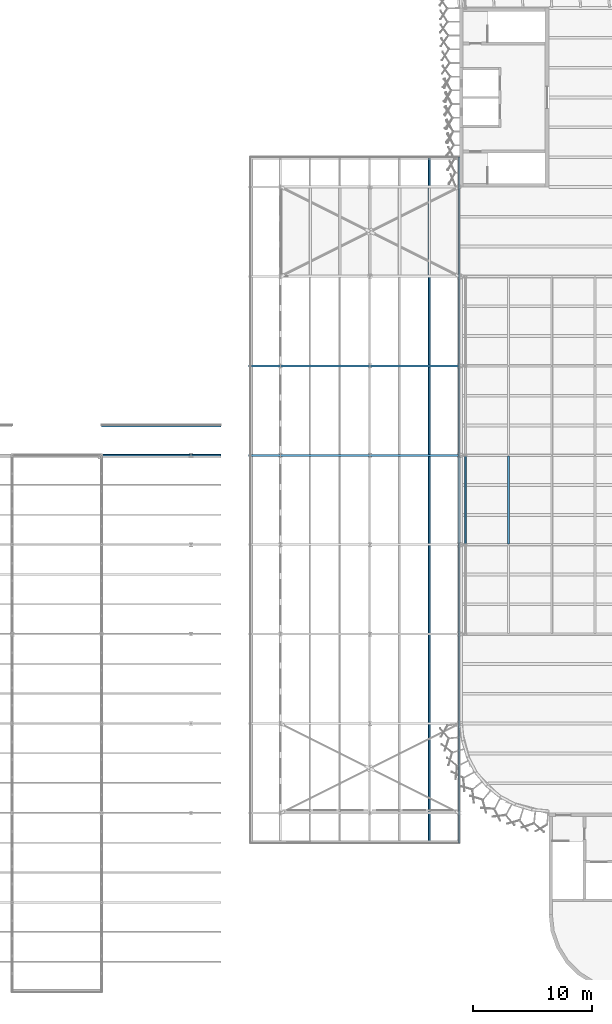
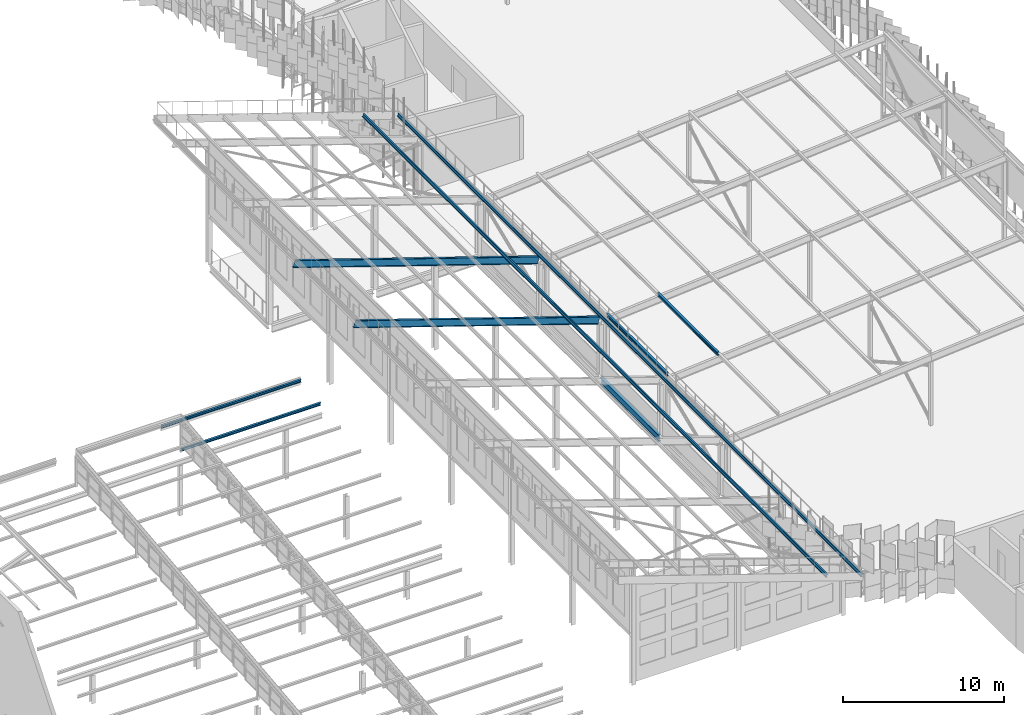
# One storey, part 70 of 483: 6 members, 3 beams.
"""IFC4 building model written with IfcOpenShell, lengths in metres."""

from ifc_helpers import new_model, si_unit, direction, frame, origin, origin_2d, place, context, subcontext, project, spatial, i_section, extrude, material, material_profile, profile_set, type_object, element, save


model = new_model("IFC4")

# Units and contexts
model_context = context("Model", 3, precision=1e-05, world=origin(), true_north=direction((0.0, 1.0)))
body_context = subcontext(model_context, "Body", "Model", "MODEL_VIEW")
ifc_project = project(units=[si_unit("LENGTHUNIT", "METRE"), si_unit("AREAUNIT", "SQUARE_METRE"), si_unit("VOLUMEUNIT", "CUBIC_METRE"), si_unit("PLANEANGLEUNIT", "RADIAN"), si_unit("MASSUNIT", "GRAM", prefix="KILO")], contexts=[model_context])

# Site, building, storey
site_placement = place(None, origin())
site = spatial("IfcSite", under=ifc_project, at=site_placement, CompositionType="ELEMENT")
building_placement = place(site_placement, origin())
building = spatial("IfcBuilding", under=site, at=building_placement, Name="Parallax Yard Mobility Hub", CompositionType="ELEMENT")
storey_placement = place(building_placement, frame((0.0, 0.0, 13.199951171875)))
storey = spatial("IfcBuildingStorey", under=building, at=storey_placement, Name="L04", CompositionType="ELEMENT", Elevation=13.199951171875)

# Members
ifc_material = material(Name="Steel ASTM A992", Category="steel")
ifc_material_profile_1 = material_profile(ifc_material, i_section(OverallWidth=0.14794921875, OverallDepth=0.26611328125, WebThickness=0.007568359375, FlangeThickness=0.012939453125, at=origin_2d()), Name="W250x45")
ifc_profile_set_1 = profile_set([ifc_material_profile_1], Name="Steel ASTM A992")
member_type_1 = type_object("IfcMemberType", Name="Canopy purlin W250x45", PredefinedType="PURLIN", material=ifc_profile_set_1)
for number, where, z_axis, x_axis, name in (
    (1, (195.510498046875, 45.0400390625, 4.302001953125), (0.0, 1.0, 0.0), (-0.996815308126, 0.0, -0.079744852409), "Canopy purlin sector E-A bay 2 line 1"),
    (2, (199.135498046875, 45.0400390625, 4.592041015625), (0.0, 1.0, 0.0), (-0.996815308126, 0.0, -0.079744852409), "Canopy purlin sector E-A bay 2 line 2"),
):
    element("IfcMember", number, at=place(storey_placement, frame(where, z_axis=z_axis, x_axis=x_axis)), inside=storey, type_object=member_type_1, Name=name, PredefinedType="PURLIN", context=body_context, shape_type="SweptSolid", body=[
        extrude(i_section(OverallWidth=0.14794921875, OverallDepth=0.26611328125, WebThickness=0.007568359375, FlangeThickness=0.012939453125, at=origin_2d()), origin(), (0.0, 0.0, 1.0), 7.419921875),
    ])
ifc_material_profile_2 = material_profile(ifc_material, i_section(OverallWidth=0.133056640625, OverallDepth=0.20703125, WebThickness=0.005859375, FlangeThickness=0.00830078125, at=origin_2d()), Name="W200x27")
ifc_profile_set_2 = profile_set([ifc_material_profile_2], Name="Steel ASTM A992")
member_type_2 = type_object("IfcMemberType", Name="Roof purlin W200x27", PredefinedType="PURLIN", material=ifc_profile_set_2)
for number, where, z_axis, x_axis, name in (
    (3, (165.0, 52.511474609375, 4.752685546875), (1.0, 0.0, 0.0), (0.0, 0.993883718765, 0.110431669255), "Roof purlin east of the monitor at y 52.5"),
    (4, (165.0, 54.951416015625, 5.02392578125), (1.0, 0.0, 0.0), (0.0, 0.993883718765, 0.110431669255), "Roof purlin east of the monitor at y 54.94"),
):
    element("IfcMember", number, at=place(storey_placement, frame(where, z_axis=z_axis, x_axis=x_axis)), inside=storey, type_object=member_type_2, Name=name, PredefinedType="PURLIN", context=body_context, shape_type="SweptSolid", body=[
        extrude(i_section(OverallWidth=0.133056640625, OverallDepth=0.20703125, WebThickness=0.005859375, FlangeThickness=0.00830078125, at=origin_2d()), origin(), (0.0, 0.0, 1.0), 10.0),
    ])
for number, where, z_axis, x_axis, name in (
    (5, (192.46728515625, 20.0, 5.31103515625), (0.0, 1.0, 0.0), (-0.948683567514, 0.0, 0.316226957624), "Roof purlin at x 192.5"),
    (6, (194.96728515625, 20.0, 4.4775390625), (0.0, 1.0, 0.0), (-0.948683567514, 0.0, 0.316226957624), "Roof purlin at x 195"),
):
    element("IfcMember", number, at=place(storey_placement, frame(where, z_axis=z_axis, x_axis=x_axis)), inside=storey, type_object=member_type_2, Name=name, PredefinedType="PURLIN", context=body_context, shape_type="SweptSolid", body=[
        extrude(i_section(OverallWidth=0.133056640625, OverallDepth=0.20703125, WebThickness=0.005859375, FlangeThickness=0.00830078125, at=origin_2d()), origin(), (0.0, 0.0, 1.0), 57.5),
    ])

# Beams
ifc_material_profile_3 = material_profile(ifc_material, i_section(OverallWidth=0.166015625, OverallDepth=0.529052734375, WebThickness=0.009765625, FlangeThickness=0.013671875, at=origin_2d()), Name="W530x74")
ifc_profile_set_3 = profile_set([ifc_material_profile_3], Name="Steel ASTM A992")
beam_type_1 = type_object("IfcBeamType", Name="Roof rafter W530x74", PredefinedType="BEAM", material=ifc_profile_set_3)
for number, where, z_axis, x_axis, name in (
    (7, (177.41650390625, 52.5, 9.93994140625), (0.948684621542, 0.0, -0.316223795515), (0.0, 1.0, 0.0), "Roof rafter at y 52.5"),
    (8, (177.41650390625, 60.0, 9.93994140625), (0.948684621542, 0.0, -0.316223795515), (0.0, 1.0, 0.0), "Roof rafter at y 60"),
):
    element("IfcBeam", number, at=place(storey_placement, frame(where, z_axis=z_axis, x_axis=x_axis)), inside=storey, type_object=beam_type_1, Name=name, PredefinedType="BEAM", context=body_context, shape_type="SweptSolid", body=[
        extrude(i_section(OverallWidth=0.166015625, OverallDepth=0.529052734375, WebThickness=0.009765625, FlangeThickness=0.013671875, at=origin_2d()), origin(), (0.0, 0.0, 1.0), 18.446533203125),
    ])
ifc_material_profile_4 = material_profile(ifc_material, i_section(OverallWidth=0.208984375, OverallDepth=0.532958984375, WebThickness=0.01025390625, FlangeThickness=0.015625, FilletRadius=0.0126953125, at=origin_2d()), Name="W530x92")
ifc_profile_set_4 = profile_set([ifc_material_profile_4], Name="Steel ASTM A992")
beam_type_2 = type_object("IfcBeamType", Name="W530x92 edge beam", PredefinedType="SPANDREL", material=ifc_profile_set_4)
beam_placement = place(storey_placement, frame((195.0, 45.152587890625, -0.406494140625), z_axis=(0.0, 1.0, 0.0), x_axis=(-1.0, 0.0, 0.0)))
element("IfcBeam", 9, at=beam_placement, inside=storey, type_object=beam_type_2, Name="Edge beam SB5 level L04, line 27 of ramped parking decks, span 3", PredefinedType="SPANDREL", context=body_context, shape_type="SweptSolid", body=[
    extrude(i_section(OverallWidth=0.208984375, OverallDepth=0.532958984375, WebThickness=0.01025390625, FlangeThickness=0.015625, FilletRadius=0.0126953125, at=origin_2d()), origin(), (0.0, 0.0, 1.0), 7.19482421875),
])

save(model, "model.ifc")
